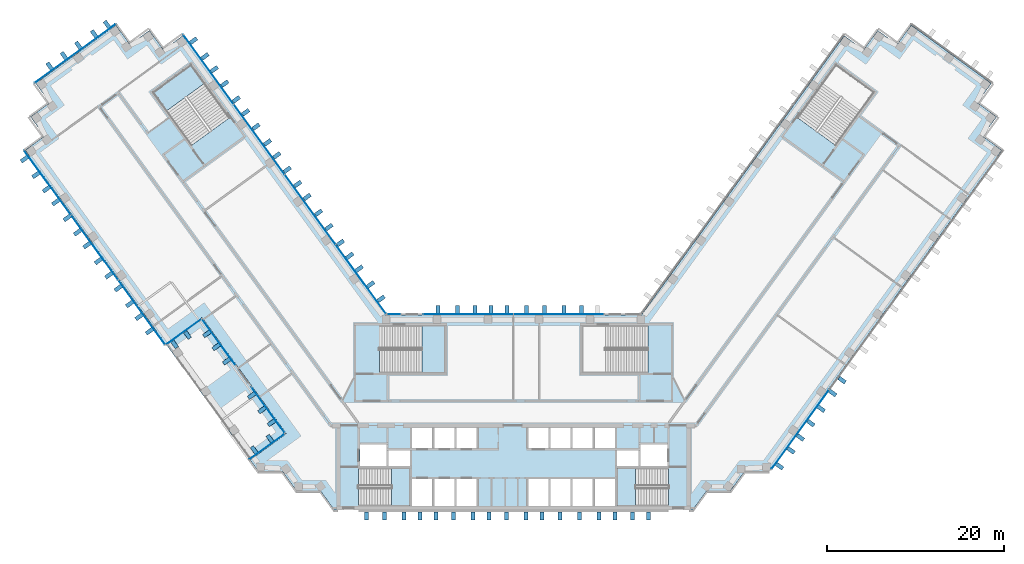
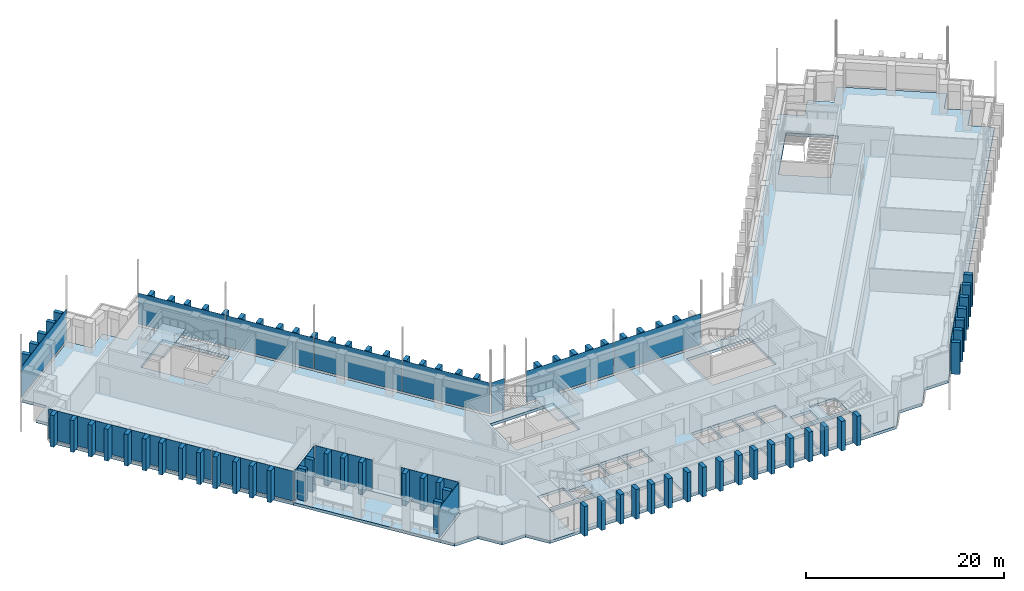
# One storey, part 8 of 18: 96 plates, 6 slabs, 14 elements without a shape of their own.
"""IFC4 building model written with IfcOpenShell, lengths in metres."""

from ifc_helpers import new_model, si_unit, direction, frame, origin, origin_2d, place, context, subcontext, project, spatial, polyline, rectangle, outline, extrude, material, layer, layer_set, type_object, element, aggregate, save


model = new_model("IFC4")

# Units and contexts
model_context = context("Model", 3, precision=1e-05, world=origin(), true_north=direction((0.0, 1.0)))
body_context = subcontext(model_context, "Body", "Model", "MODEL_VIEW")
ifc_project = project(units=[si_unit("LENGTHUNIT", "METRE"), si_unit("AREAUNIT", "SQUARE_METRE"), si_unit("VOLUMEUNIT", "CUBIC_METRE"), si_unit("PLANEANGLEUNIT", "RADIAN"), si_unit("MASSUNIT", "GRAM", prefix="KILO")], contexts=[model_context])

# Site, building, storey
site_placement = place(None, origin())
site = spatial("IfcSite", under=ifc_project, at=site_placement, CompositionType="ELEMENT")
building_placement = place(site_placement, origin())
building = spatial("IfcBuilding", under=site, at=building_placement, Name="Quipu Civic Tower", CompositionType="ELEMENT")
storey_placement = place(building_placement, frame((0.0, 0.0, 59.0)))
storey = spatial("IfcBuildingStorey", under=building, at=storey_placement, Name="L13", CompositionType="ELEMENT", Elevation=59.0)

# Slab
ifc_material_1 = material(Name="Concrete C40/50", Category="concrete")
ifc_layer_1 = layer(ifc_material_1, 0.35009765625)
ifc_layer_set_1 = layer_set([ifc_layer_1], Name="Concrete C40/50")
slab_type_1 = type_object("IfcSlabType", Name="Floor slab 350 C40/50", PredefinedType="FLOOR", material=ifc_layer_set_1)
slab_1_placement = place(storey_placement, frame((0.0, 0.0, -0.35009765625)))
element("IfcSlab", 1, at=slab_1_placement, inside=storey, type_object=slab_type_1, Name="Floor slab L13", PredefinedType="FLOOR", context=body_context, shape_type="SweptSolid", body=[
    extrude(outline(polyline([(-54.514892578125, 33.389892578125), (-52.3349609375, 34.97509765625), (-53.919921875, 37.159912109375), (-44.860107421875, 43.739990234375), (-43.27001953125, 41.56005859375), (-41.0849609375, 43.14501953125), (-39.5, 40.9599609375), (-37.31494140625, 42.550048828125), (-14.39501953125, 11.0), (14.39501953125, 11.0), (37.31494140625, 42.550048828125), (39.5, 40.9599609375), (41.0849609375, 43.14501953125), (43.27001953125, 41.56005859375), (44.860107421875, 43.739990234375), (53.919921875, 37.159912109375), (52.3349609375, 34.97509765625), (54.514892578125, 33.389892578125), (52.929931640625, 31.205078125), (55.114990234375, 29.614990234375), (28.780029296875, -6.6298828125), (26.080078125, -6.6298828125), (24.489990234375, -8.81494140625), (21.7900390625, -8.81494140625), (20.205078125, -11.0), (-20.205078125, -11.0), (-21.7900390625, -8.81494140625), (-24.489990234375, -8.81494140625), (-26.080078125, -6.6298828125), (-28.780029296875, -6.6298828125), (-29.719970703125, -5.3349609375), (-25.6298828125, -2.360107421875), (-35.155029296875, 10.7451171875), (-39.2451171875, 7.77490234375), (-55.114990234375, 29.614990234375), (-52.929931640625, 31.205078125), (-54.514892578125, 33.389892578125)]), holes=[polyline([(-11.449951171875, -7.5), (-11.449951171875, -10.5), (-9.14990234375, -10.5), (-9.14990234375, -7.5), (-11.449951171875, -7.5)]), polyline([(-6.64990234375, -7.5), (-8.949951171875, -7.5), (-8.949951171875, -10.5), (-6.64990234375, -10.5), (-6.64990234375, -7.5)]), polyline([(-4.14990234375, -7.5), (-6.449951171875, -7.5), (-6.449951171875, -10.5), (-4.14990234375, -10.5), (-4.14990234375, -7.5)]), polyline([(1.64990234375, -7.5), (1.64990234375, -10.5), (3.949951171875, -10.5), (3.949951171875, -7.5), (1.64990234375, -7.5)]), polyline([(-11.705078125, -10.4951171875), (-11.705078125, -6.2548828125), (-17.4951171875, -6.2548828125), (-17.4951171875, -10.4951171875), (-11.705078125, -10.4951171875)]), polyline([(-11.699951171875, -4.25), (-14.10009765625, -4.25), (-14.10009765625, -6.0), (-11.699951171875, -6.0), (-11.699951171875, -4.25)]), polyline([(-17.35009765625, -3.60009765625), (-17.35009765625, -6.0), (-14.35009765625, -6.0), (-14.35009765625, -3.60009765625), (-17.35009765625, -3.60009765625)]), polyline([(-9.14990234375, -1.699951171875), (-11.449951171875, -1.699951171875), (-11.449951171875, -4.0), (-9.14990234375, -4.0), (-9.14990234375, -1.699951171875)]), polyline([(-6.64990234375, -1.699951171875), (-8.949951171875, -1.699951171875), (-8.949951171875, -4.0), (-6.64990234375, -4.0), (-6.64990234375, -1.699951171875)]), polyline([(-6.449951171875, -1.699951171875), (-6.449951171875, -4.0), (-4.14990234375, -4.0), (-4.14990234375, -1.699951171875), (-6.449951171875, -1.699951171875)]), polyline([(-7.7548828125, 4.5048828125), (-7.7548828125, 9.844970703125), (-15.14501953125, 9.844970703125), (-15.14501953125, 4.5048828125), (-7.7548828125, 4.5048828125)]), polyline([(-36.364990234375, 39.27490234375), (-40.68505859375, 36.135009765625), (-36.344970703125, 30.159912109375), (-32.02490234375, 33.300048828125), (-36.364990234375, 39.27490234375)]), polyline([(4.14990234375, -7.5), (4.14990234375, -10.5), (6.449951171875, -10.5), (6.449951171875, -7.5), (4.14990234375, -7.5)]), polyline([(8.949951171875, -7.5), (6.64990234375, -7.5), (6.64990234375, -10.5), (8.949951171875, -10.5), (8.949951171875, -7.5)]), polyline([(11.449951171875, -7.5), (9.14990234375, -7.5), (9.14990234375, -10.5), (11.449951171875, -10.5), (11.449951171875, -7.5)]), polyline([(11.705078125, -10.4951171875), (17.4951171875, -10.4951171875), (17.4951171875, -6.2548828125), (11.705078125, -6.2548828125), (11.705078125, -10.4951171875)]), polyline([(14.10009765625, -4.25), (11.699951171875, -4.25), (11.699951171875, -6.0), (14.10009765625, -6.0), (14.10009765625, -4.25)]), polyline([(17.35009765625, -3.60009765625), (14.35009765625, -3.60009765625), (14.35009765625, -6.0), (17.35009765625, -6.0), (17.35009765625, -3.60009765625)]), polyline([(1.64990234375, -1.699951171875), (1.64990234375, -4.0), (3.949951171875, -4.0), (3.949951171875, -1.699951171875), (1.64990234375, -1.699951171875)]), polyline([(6.449951171875, -1.699951171875), (4.14990234375, -1.699951171875), (4.14990234375, -4.0), (6.449951171875, -4.0), (6.449951171875, -1.699951171875)]), polyline([(8.949951171875, -1.699951171875), (6.64990234375, -1.699951171875), (6.64990234375, -4.0), (8.949951171875, -4.0), (8.949951171875, -1.699951171875)]), polyline([(9.14990234375, -1.699951171875), (9.14990234375, -4.0), (11.449951171875, -4.0), (11.449951171875, -1.699951171875), (9.14990234375, -1.699951171875)]), polyline([(7.7548828125, 9.844970703125), (7.7548828125, 4.5048828125), (15.14501953125, 4.5048828125), (15.14501953125, 9.844970703125), (7.7548828125, 9.844970703125)]), polyline([(40.68505859375, 36.135009765625), (36.364990234375, 39.27490234375), (32.02490234375, 33.300048828125), (36.344970703125, 30.159912109375), (40.68505859375, 36.135009765625)])]), origin(), (0.0, 0.0, 1.0), 0.35009765625),
])

# Curtain wall, plates
ifc_material_2 = material(Name="Insulated glass unit", Category="glass")
curtain_wall_type = type_object("IfcCurtainWallType", Name="Office curtain wall CW1", PredefinedType="NOTDEFINED", material=ifc_material_2)
curtain_wall_1_placement = place(storey_placement, origin())
curtain_wall_1 = element("IfcCurtainWall", 2, at=curtain_wall_1_placement, inside=storey, type_object=curtain_wall_type, Name="Office curtain wall CW1 L13 run 1", PredefinedType="NOTDEFINED")
ifc_material_3 = material(Name="Insulated glass unit", Category="glass")
ifc_layer_2 = layer(ifc_material_3, 0.028076171875)
ifc_layer_set_2 = layer_set([ifc_layer_2], Name="Insulated glass unit")
plate_type_1 = type_object("IfcPlateType", Name="Glass panel CW1", PredefinedType="CURTAIN_PANEL", material=ifc_layer_set_2)
plate_1_placement = place(storey_placement, frame((-52.57763671875, 25.954833984375, 0.240234375), z_axis=(0.0, 0.0, 1.0), x_axis=(0.587787330417, -0.809015484525, 0.0)))
plate_1 = element("IfcPlate", 3, at=plate_1_placement, type_object=plate_type_1, Name="CW1 panel 1.1", PredefinedType="CURTAIN_PANEL", context=body_context, shape_type="SweptSolid", body=[
    extrude(rectangle(XDim=8.94677734375, YDim=0.028076171875, at=origin_2d()), origin(), (0.0, 0.0, 1.0), 3.679931640625),
])
plate_2_placement = place(storey_placement, frame((-47.26025390625, 18.635986328125, 0.240234375), z_axis=(0.0, 0.0, 1.0), x_axis=(0.587787330417, -0.809015484525, 0.0)))
plate_2 = element("IfcPlate", 4, at=plate_2_placement, type_object=plate_type_1, Name="CW1 panel 2.1", PredefinedType="CURTAIN_PANEL", context=body_context, shape_type="SweptSolid", body=[
    extrude(rectangle(XDim=8.986572265625, YDim=0.028076171875, at=origin_2d()), origin(), (0.0, 0.0, 1.0), 3.679931640625),
])
plate_3_placement = place(storey_placement, frame((-41.942626953125, 11.317138671875, 0.240234375), z_axis=(0.0, 0.0, 1.0), x_axis=(0.587787330417, -0.809015484525, 0.0)))
plate_3 = element("IfcPlate", 5, at=plate_3_placement, type_object=plate_type_1, Name="CW1 panel 3.1", PredefinedType="CURTAIN_PANEL", context=body_context, shape_type="SweptSolid", body=[
    extrude(rectangle(XDim=8.94677734375, YDim=0.028076171875, at=origin_2d()), origin(), (0.0, 0.0, 1.0), 3.679931640625),
])
aggregate(curtain_wall_1, [plate_1, plate_2, plate_3])

# Curtain wall, plate
curtain_wall_2_placement = place(storey_placement, origin())
curtain_wall_2 = element("IfcCurtainWall", 6, at=curtain_wall_2_placement, inside=storey, type_object=curtain_wall_type, Name="Office curtain wall CW1 L13 run 2", PredefinedType="NOTDEFINED")
plate_4_placement = place(storey_placement, frame((-37.220703125, 9.11962890625, 0.240234375), z_axis=(0.0, 0.0, 1.0), x_axis=(0.809017318296, 0.587784806453, 0.0)))
plate_4 = element("IfcPlate", 7, at=plate_4_placement, type_object=plate_type_1, Name="CW1 panel 1.1", PredefinedType="CURTAIN_PANEL", context=body_context, shape_type="SweptSolid", body=[
    extrude(rectangle(XDim=4.897216796875, YDim=0.028076171875, at=origin_2d()), origin(), (0.0, 0.0, 1.0), 3.679931640625),
])
aggregate(curtain_wall_2, [plate_4])

curtain_wall_3_placement = place(storey_placement, origin())
curtain_wall_3 = element("IfcCurtainWall", 8, at=curtain_wall_3_placement, inside=storey, type_object=curtain_wall_type, Name="Office curtain wall CW1 L13 run 3", PredefinedType="NOTDEFINED")
plate_5_placement = place(storey_placement, frame((-33.259521484375, 7.96923828125, 0.240234375), z_axis=(0.0, 0.0, 1.0), x_axis=(0.587784844747, -0.809017290474, 0.0)))
plate_5 = element("IfcPlate", 9, at=plate_5_placement, type_object=plate_type_1, Name="CW1 panel 1.1", PredefinedType="CURTAIN_PANEL", context=body_context, shape_type="SweptSolid", body=[
    extrude(rectangle(XDim=6.35791015625, YDim=0.028076171875, at=origin_2d()), origin(), (0.0, 0.0, 1.0), 3.679931640625),
])
aggregate(curtain_wall_3, [plate_5])

curtain_wall_4_placement = place(storey_placement, origin())
curtain_wall_4 = element("IfcCurtainWall", 10, at=curtain_wall_4_placement, inside=storey, type_object=curtain_wall_type, Name="Office curtain wall CW1 L13 run 5", PredefinedType="NOTDEFINED")
plate_6_placement = place(storey_placement, frame((-27.686279296875, 0.298583984375, 0.240234375), z_axis=(0.0, 0.0, 1.0), x_axis=(0.587776688826, -0.809023216028, 0.0)))
plate_6 = element("IfcPlate", 11, at=plate_6_placement, type_object=plate_type_1, Name="CW1 panel 1.1", PredefinedType="CURTAIN_PANEL", context=body_context, shape_type="SweptSolid", body=[
    extrude(rectangle(XDim=6.35888671875, YDim=0.028076171875, at=origin_2d()), origin(), (0.0, 0.0, 1.0), 3.679931640625),
])
aggregate(curtain_wall_4, [plate_6])

curtain_wall_5_placement = place(storey_placement, origin())
curtain_wall_5 = element("IfcCurtainWall", 12, at=curtain_wall_5_placement, inside=storey, type_object=curtain_wall_type, Name="Office curtain wall CW1 L13 run 6", PredefinedType="NOTDEFINED")
plate_7_placement = place(storey_placement, frame((-27.816162109375, -3.82470703125, 0.240234375), z_axis=(0.0, 0.0, 1.0), x_axis=(-0.809017318296, -0.587784806453, 0.0)))
plate_7 = element("IfcPlate", 13, at=plate_7_placement, type_object=plate_type_1, Name="CW1 panel 1.1", PredefinedType="CURTAIN_PANEL", context=body_context, shape_type="SweptSolid", body=[
    extrude(rectangle(XDim=4.897216796875, YDim=0.028076171875, at=origin_2d()), origin(), (0.0, 0.0, 1.0), 3.679931640625),
])
aggregate(curtain_wall_5, [plate_7])

# Curtain wall, plates
curtain_wall_6_placement = place(storey_placement, origin())
curtain_wall_6 = element("IfcCurtainWall", 14, at=curtain_wall_6_placement, inside=storey, type_object=curtain_wall_type, Name="Office curtain wall CW1 L12 run 10", PredefinedType="NOTDEFINED")
plate_8_placement = place(storey_placement, frame((-17.224609375, 15.064697265625, 0.16015625), z_axis=(0.0, 0.0, 1.0), x_axis=(-0.587785887566, 0.809016532822, 0.0)))
plate_8 = element("IfcPlate", 15, at=plate_8_placement, type_object=plate_type_1, Name="CW1 panel 1.2", PredefinedType="CURTAIN_PANEL", context=body_context, shape_type="SweptSolid", body=[
    extrude(rectangle(XDim=9.64111328125, YDim=0.028076171875, at=origin_2d()), origin(), (0.0, 0.0, 1.0), 3.840087890625),
])
plate_9_placement = place(storey_placement, frame((-22.950439453125, 22.9453125, 0.16015625), z_axis=(0.0, 0.0, 1.0), x_axis=(-0.587785887566, 0.809016532822, 0.0)))
plate_9 = element("IfcPlate", 16, at=plate_9_placement, type_object=plate_type_1, Name="CW1 panel 2.2", PredefinedType="CURTAIN_PANEL", context=body_context, shape_type="SweptSolid", body=[
    extrude(rectangle(XDim=9.68115234375, YDim=0.028076171875, at=origin_2d()), origin(), (0.0, 0.0, 1.0), 3.840087890625),
])
plate_10_placement = place(storey_placement, frame((-28.687744140625, 30.84228515625, 0.16015625), z_axis=(0.0, 0.0, 1.0), x_axis=(-0.587785887566, 0.809016532822, 0.0)))
plate_10 = element("IfcPlate", 17, at=plate_10_placement, type_object=plate_type_1, Name="CW1 panel 3.2", PredefinedType="CURTAIN_PANEL", context=body_context, shape_type="SweptSolid", body=[
    extrude(rectangle(XDim=9.68115234375, YDim=0.028076171875, at=origin_2d()), origin(), (0.0, 0.0, 1.0), 3.840087890625),
])
plate_11_placement = place(storey_placement, frame((-34.413330078125, 38.722900390625, 0.16015625), z_axis=(0.0, 0.0, 1.0), x_axis=(-0.587785887566, 0.809016532822, 0.0)))
plate_11 = element("IfcPlate", 18, at=plate_11_placement, type_object=plate_type_1, Name="CW1 panel 4.2", PredefinedType="CURTAIN_PANEL", context=body_context, shape_type="SweptSolid", body=[
    extrude(rectangle(XDim=9.64111328125, YDim=0.028076171875, at=origin_2d()), origin(), (0.0, 0.0, 1.0), 3.840087890625),
])
aggregate(curtain_wall_6, [plate_8, plate_9, plate_10, plate_11])

# Curtain wall, plate
curtain_wall_7_placement = place(storey_placement, origin())
curtain_wall_7 = element("IfcCurtainWall", 19, at=curtain_wall_7_placement, inside=storey, type_object=curtain_wall_type, Name="Office curtain wall CW1 L12 run 15", PredefinedType="NOTDEFINED")
plate_12_placement = place(storey_placement, frame((-49.447998046875, 40.53173828125, 0.16015625), z_axis=(0.0, 0.0, 1.0), x_axis=(-0.809019348124, -0.587782012621, 0.0)))
plate_12 = element("IfcPlate", 20, at=plate_12_placement, type_object=plate_type_1, Name="CW1 panel 1.2", PredefinedType="CURTAIN_PANEL", context=body_context, shape_type="SweptSolid", body=[
    extrude(rectangle(XDim=11.239990234375, YDim=0.028076171875, at=origin_2d()), origin(), (0.0, 0.0, 1.0), 3.840087890625),
])
aggregate(curtain_wall_7, [plate_12])

curtain_wall_8_placement = place(storey_placement, origin())
curtain_wall_8 = element("IfcCurtainWall", 21, at=curtain_wall_8_placement, inside=storey, type_object=curtain_wall_type, Name="Office curtain wall CW1 L12 run 26", PredefinedType="NOTDEFINED")
plate_13_placement = place(storey_placement, frame((32.342529296875, -1.896484375, 0.16015625), z_axis=(0.0, 0.0, 1.0), x_axis=(0.587785559869, 0.809016770908, 0.0)))
plate_13 = element("IfcPlate", 22, at=plate_13_placement, type_object=plate_type_1, Name="CW1 panel 1.2", PredefinedType="CURTAIN_PANEL", context=body_context, shape_type="SweptSolid", body=[
    extrude(rectangle(XDim=11.022705078125, YDim=0.028076171875, at=origin_2d()), origin(), (0.0, 0.0, 1.0), 3.840087890625),
])
aggregate(curtain_wall_8, [plate_13])

# Curtain wall, plates
curtain_wall_9_placement = place(storey_placement, origin())
curtain_wall_9 = element("IfcCurtainWall", 23, at=curtain_wall_9_placement, inside=storey, type_object=curtain_wall_type, Name="Office curtain wall CW1 L12 run 39", PredefinedType="NOTDEFINED")
plate_14_placement = place(storey_placement, frame((5.11181640625, 11.10009765625, 0.16015625), z_axis=(0.0, 0.0, 1.0), x_axis=(-1.0, 0.0, 0.0)))
plate_14 = element("IfcPlate", 24, at=plate_14_placement, type_object=plate_type_1, Name="CW1 panel 1.2", PredefinedType="CURTAIN_PANEL", context=body_context, shape_type="SweptSolid", body=[
    extrude(rectangle(XDim=10.1435546875, YDim=0.028076171875, at=origin_2d()), origin(), (0.0, 0.0, 1.0), 3.840087890625),
])
plate_15_placement = place(storey_placement, frame((-5.11181640625, 11.10009765625, 0.16015625), z_axis=(0.0, 0.0, 1.0), x_axis=(-1.0, 0.0, 0.0)))
plate_15 = element("IfcPlate", 25, at=plate_15_placement, type_object=plate_type_1, Name="CW1 panel 2.2", PredefinedType="CURTAIN_PANEL", context=body_context, shape_type="SweptSolid", body=[
    extrude(rectangle(XDim=10.1435546875, YDim=0.028076171875, at=origin_2d()), origin(), (0.0, 0.0, 1.0), 3.840087890625),
])
aggregate(curtain_wall_9, [plate_14, plate_15])

# Curtain wall, plate
curtain_wall_10_placement = place(storey_placement, origin())
curtain_wall_10 = element("IfcCurtainWall", 26, at=curtain_wall_10_placement, inside=storey, type_object=curtain_wall_type, Name="Office curtain wall CW1 L12 run 41", PredefinedType="NOTDEFINED")
plate_16_placement = place(storey_placement, frame((-13.49951171875, 11.10009765625, 0.16015625), z_axis=(0.0, 0.0, 1.0), x_axis=(-1.0, 0.0, 0.0)))
plate_16 = element("IfcPlate", 27, at=plate_16_placement, type_object=plate_type_1, Name="CW1 panel 1.2", PredefinedType="CURTAIN_PANEL", context=body_context, shape_type="SweptSolid", body=[
    extrude(rectangle(XDim=1.529296875, YDim=0.028076171875, at=origin_2d()), origin(), (0.0, 0.0, 1.0), 3.840087890625),
])
aggregate(curtain_wall_10, [plate_16])

# Plates
ifc_material_4 = material(Name="Precast concrete C40/50", Category="concrete")
plate_type_2 = type_object("IfcPlateType", Name="Precast fin F1", PredefinedType="SHEET", material=ifc_material_4)
for number, where, z_axis, x_axis, name in (
    (28, (-55.184814453125, 28.607421875, 0.080078125), (0.0, 0.0, 1.0), (0.587786244816, -0.809016273264, 0.0), "Precast fin F1 L13.1.1"),
    (29, (-53.8916015625, 26.82763671875, 0.080078125), (0.0, 0.0, 1.0), (0.587786244816, -0.809016273264, 0.0), "Precast fin F1 L13.1.2"),
    (30, (-52.716064453125, 25.20947265625, 0.080078125), (0.0, 0.0, 1.0), (0.587786244816, -0.809016273264, 0.0), "Precast fin F1 L13.1.3"),
    (31, (-51.657958984375, 23.75341796875, 0.080078125), (0.0, 0.0, 1.0), (0.587786244816, -0.809016273264, 0.0), "Precast fin F1 L13.1.4"),
    (32, (-50.364990234375, 21.9736328125, 0.080078125), (0.0, 0.0, 1.0), (0.587786244816, -0.809016273264, 0.0), "Precast fin F1 L13.1.5"),
    (33, (-49.189208984375, 20.35546875, 0.080078125), (0.0, 0.0, 1.0), (0.587786244816, -0.809016273264, 0.0), "Precast fin F1 L13.1.6"),
    (34, (-48.13134765625, 18.899169921875, 0.080078125), (0.0, 0.0, 1.0), (0.587786244816, -0.809016273264, 0.0), "Precast fin F1 L13.1.7"),
    (35, (-46.838134765625, 17.119384765625, 0.080078125), (0.0, 0.0, 1.0), (0.587786244816, -0.809016273264, 0.0), "Precast fin F1 L13.1.8"),
    (36, (-45.66259765625, 15.50146484375, 0.080078125), (0.0, 0.0, 1.0), (0.587786244816, -0.809016273264, 0.0), "Precast fin F1 L13.1.9"),
    (37, (-44.6044921875, 14.045166015625, 0.080078125), (0.0, 0.0, 1.0), (0.587786244816, -0.809016273264, 0.0), "Precast fin F1 L13.1.10"),
    (38, (-43.3115234375, 12.265380859375, 0.080078125), (0.0, 0.0, 1.0), (0.587786244816, -0.809016273264, 0.0), "Precast fin F1 L13.1.11"),
    (39, (-42.25341796875, 10.80908203125, 0.080078125), (0.0, 0.0, 1.0), (0.587786244816, -0.809016273264, 0.0), "Precast fin F1 L13.1.12"),
    (40, (-41.077880859375, 9.191162109375, 0.080078125), (0.0, 0.0, 1.0), (0.587786244816, -0.809016273264, 0.0), "Precast fin F1 L13.1.13"),
    (41, (-38.235107421875, 7.702880859375, 0.080078125), (0.0, 0.0, 1.0), (0.809017318296, 0.587784806453, 0.0), "Precast fin F1 L13.2.1"),
    (42, (-36.77880859375, 8.7607421875, 0.080078125), (0.0, 0.0, 1.0), (0.809017318296, 0.587784806453, 0.0), "Precast fin F1 L13.2.2"),
    (43, (-34.60595703125, 8.886962890625, 0.080078125), (0.0, 0.0, 1.0), (0.587783675566, -0.809018139931, 0.0), "Precast fin F1 L13.3.1"),
    (44, (-33.548095703125, 7.430908203125, 0.080078125), (0.0, 0.0, 1.0), (0.587783675566, -0.809018139931, 0.0), "Precast fin F1 L13.3.2"),
    (45, (-32.37255859375, 5.812744140625, 0.080078125), (0.0, 0.0, 1.0), (0.587783675566, -0.809018139931, 0.0), "Precast fin F1 L13.3.3"),
    (46, (-29.55126953125, 1.929931640625, 0.080078125), (0.0, 0.0, 1.0), (0.587783675566, -0.809018139931, 0.0), "Precast fin F1 L13.5.1"),
    (47, (-28.375732421875, 0.311767578125, 0.080078125), (0.0, 0.0, 1.0), (0.587783675566, -0.809018139931, 0.0), "Precast fin F1 L13.5.2"),
    (48, (-27.31787109375, -1.144287109375, 0.080078125), (0.0, 0.0, 1.0), (0.587783675566, -0.809018139931, 0.0), "Precast fin F1 L13.5.3"),
    (49, (-27.4892578125, -2.9072265625, 0.080078125), (0.0, 0.0, 1.0), (-0.809017318296, -0.587784806453, 0.0), "Precast fin F1 L13.6.1"),
    (50, (-29.26904296875, -4.200439453125, 0.080078125), (0.0, 0.0, 1.0), (-0.809017318296, -0.587784806453, 0.0), "Precast fin F1 L13.6.2"),
    (51, (-14.942138671875, 12.8583984375, 0.080078125), (0.0, 0.0, 1.0), (-0.587784944053, 0.809017218324, 0.0), "Precast fin F1 L13.P06.1"),
    (52, (-16.11767578125, 14.4765625, 0.080078125), (0.0, 0.0, 1.0), (-0.587784944053, 0.809017218324, 0.0), "Precast fin F1 L13.P06.2"),
    (53, (-17.41064453125, 16.25634765625, 0.080078125), (0.0, 0.0, 1.0), (-0.587784944053, 0.809017218324, 0.0), "Precast fin F1 L13.P06.3"),
    (54, (-18.46875, 17.712646484375, 0.080078125), (0.0, 0.0, 1.0), (-0.587784944053, 0.809017218324, 0.0), "Precast fin F1 L13.P06.4"),
    (55, (-19.52685546875, 19.1689453125, 0.080078125), (0.0, 0.0, 1.0), (-0.587784944053, 0.809017218324, 0.0), "Precast fin F1 L13.P06.5"),
    (56, (-20.81982421875, 20.94873046875, 0.080078125), (0.0, 0.0, 1.0), (-0.587784944053, 0.809017218324, 0.0), "Precast fin F1 L13.P06.6"),
    (57, (-21.995361328125, 22.566650390625, 0.080078125), (0.0, 0.0, 1.0), (-0.587784944053, 0.809017218324, 0.0), "Precast fin F1 L13.P06.7"),
    (58, (-23.28857421875, 24.3466796875, 0.080078125), (0.0, 0.0, 1.0), (-0.587784944053, 0.809017218324, 0.0), "Precast fin F1 L13.P06.8"),
    (59, (-24.3466796875, 25.802734375, 0.080078125), (0.0, 0.0, 1.0), (-0.587784944053, 0.809017218324, 0.0), "Precast fin F1 L13.P06.9"),
    (60, (-25.522216796875, 27.4208984375, 0.080078125), (0.0, 0.0, 1.0), (-0.587784944053, 0.809017218324, 0.0), "Precast fin F1 L13.P06.10"),
    (61, (-26.69775390625, 29.038818359375, 0.080078125), (0.0, 0.0, 1.0), (-0.587784944053, 0.809017218324, 0.0), "Precast fin F1 L13.P06.11"),
    (62, (-27.755859375, 30.4951171875, 0.080078125), (0.0, 0.0, 1.0), (-0.587784944053, 0.809017218324, 0.0), "Precast fin F1 L13.P06.12"),
    (63, (-29.048828125, 32.27490234375, 0.080078125), (0.0, 0.0, 1.0), (-0.587784944053, 0.809017218324, 0.0), "Precast fin F1 L13.P06.13"),
    (64, (-30.224365234375, 33.89306640625, 0.080078125), (0.0, 0.0, 1.0), (-0.587784944053, 0.809017218324, 0.0), "Precast fin F1 L13.P06.14"),
    (65, (-31.282470703125, 35.34912109375, 0.080078125), (0.0, 0.0, 1.0), (-0.587784944053, 0.809017218324, 0.0), "Precast fin F1 L13.P06.15"),
    (66, (-32.57568359375, 37.129150390625, 0.080078125), (0.0, 0.0, 1.0), (-0.587784944053, 0.809017218324, 0.0), "Precast fin F1 L13.P06.16"),
    (67, (-33.751220703125, 38.7470703125, 0.080078125), (0.0, 0.0, 1.0), (-0.587784944053, 0.809017218324, 0.0), "Precast fin F1 L13.P06.17"),
    (68, (-34.80908203125, 40.203369140625, 0.080078125), (0.0, 0.0, 1.0), (-0.587784944053, 0.809017218324, 0.0), "Precast fin F1 L13.P06.18"),
    (69, (-36.102294921875, 41.983154296875, 0.080078125), (0.0, 0.0, 1.0), (-0.587784944053, 0.809017218324, 0.0), "Precast fin F1 L13.P06.19"),
    (70, (-45.867919921875, 43.812744140625, 0.080078125), (0.0, 0.0, 1.0), (-0.809021318545, -0.587779300537, 0.0), "Precast fin F1 L13.P11.1"),
    (71, (-47.323974609375, 42.754638671875, 0.080078125), (0.0, 0.0, 1.0), (-0.809021318545, -0.587779300537, 0.0), "Precast fin F1 L13.P11.2"),
    (72, (-49.10400390625, 41.461669921875, 0.080078125), (0.0, 0.0, 1.0), (-0.809021318545, -0.587779300537, 0.0), "Precast fin F1 L13.P11.3"),
    (73, (-50.721923828125, 40.2861328125, 0.080078125), (0.0, 0.0, 1.0), (-0.809021318545, -0.587779300537, 0.0), "Precast fin F1 L13.P11.4"),
    (74, (-52.340087890625, 39.110595703125, 0.080078125), (0.0, 0.0, 1.0), (-0.809021318545, -0.587779300537, 0.0), "Precast fin F1 L13.P11.5"),
):
    element("IfcPlate", number, at=place(storey_placement, frame(where, z_axis=z_axis, x_axis=x_axis)), inside=storey, type_object=plate_type_2, Name=name, PredefinedType="SHEET", context=body_context, shape_type="SweptSolid", body=[
        extrude(rectangle(XDim=0.449951171875, YDim=0.89990234375, at=origin_2d()), origin(), (0.0, 0.0, 1.0), 3.919921875),
    ])
for number, where, z_axis, x_axis, name in (
    (75, (-16.574951171875, -11.637939453125, 0.0), (0.0, 0.0, 1.0), (1.0, 0.0, 0.0), "Precast fin F1 L13.P17.1"),
    (76, (-14.574951171875, -11.637939453125, 0.0), (0.0, 0.0, 1.0), (1.0, 0.0, 0.0), "Precast fin F1 L13.P17.2"),
    (77, (-12.375, -11.637939453125, 0.0), (0.0, 0.0, 1.0), (1.0, 0.0, 0.0), "Precast fin F1 L13.P17.3"),
    (78, (-10.574951171875, -11.637939453125, 0.0), (0.0, 0.0, 1.0), (1.0, 0.0, 0.0), "Precast fin F1 L13.P17.4"),
    (79, (-8.77490234375, -11.637939453125, 0.0), (0.0, 0.0, 1.0), (1.0, 0.0, 0.0), "Precast fin F1 L13.P17.5"),
    (80, (-6.77490234375, -11.637939453125, 0.0), (0.0, 0.0, 1.0), (1.0, 0.0, 0.0), "Precast fin F1 L13.P17.6"),
    (81, (-4.574951171875, -11.637939453125, 0.0), (0.0, 0.0, 1.0), (1.0, 0.0, 0.0), "Precast fin F1 L13.P17.7"),
    (82, (-2.77490234375, -11.637939453125, 0.0), (0.0, 0.0, 1.0), (1.0, 0.0, 0.0), "Precast fin F1 L13.P17.8"),
    (83, (-0.77490234375, -11.637939453125, 0.0), (0.0, 0.0, 1.0), (1.0, 0.0, 0.0), "Precast fin F1 L13.P17.9"),
    (84, (1.425048828125, -11.637939453125, 0.0), (0.0, 0.0, 1.0), (1.0, 0.0, 0.0), "Precast fin F1 L13.P17.10"),
    (85, (3.22509765625, -11.637939453125, 0.0), (0.0, 0.0, 1.0), (1.0, 0.0, 0.0), "Precast fin F1 L13.P17.11"),
    (86, (5.22509765625, -11.637939453125, 0.0), (0.0, 0.0, 1.0), (1.0, 0.0, 0.0), "Precast fin F1 L13.P17.12"),
    (87, (7.425048828125, -11.637939453125, 0.0), (0.0, 0.0, 1.0), (1.0, 0.0, 0.0), "Precast fin F1 L13.P17.13"),
    (88, (9.625, -11.637939453125, 0.0), (0.0, 0.0, 1.0), (1.0, 0.0, 0.0), "Precast fin F1 L13.P17.14"),
    (89, (11.425048828125, -11.637939453125, 0.0), (0.0, 0.0, 1.0), (1.0, 0.0, 0.0), "Precast fin F1 L13.P17.15"),
    (90, (13.425048828125, -11.637939453125, 0.0), (0.0, 0.0, 1.0), (1.0, 0.0, 0.0), "Precast fin F1 L13.P17.16"),
    (91, (15.22509765625, -11.637939453125, 0.0), (0.0, 0.0, 1.0), (1.0, 0.0, 0.0), "Precast fin F1 L13.P17.17"),
):
    element("IfcPlate", number, at=place(storey_placement, frame(where, z_axis=z_axis, x_axis=x_axis)), inside=storey, type_object=plate_type_2, Name=name, PredefinedType="SHEET", context=body_context, shape_type="SweptSolid", body=[
        extrude(rectangle(XDim=0.449951171875, YDim=0.89990234375, at=origin_2d()), origin(), (0.0, 0.0, 1.0), 3.64990234375),
    ])
for number, where, z_axis, x_axis, name in (
    (92, (30.014892578125, -6.03564453125, 0.080078125), (0.0, 0.0, 1.0), (0.587785716149, 0.809016657363, 0.0), "Precast fin F1 L13.P23.1"),
    (93, (31.30810546875, -4.255859375, 0.080078125), (0.0, 0.0, 1.0), (0.587785716149, 0.809016657363, 0.0), "Precast fin F1 L13.P23.2"),
    (94, (32.365966796875, -2.7998046875, 0.080078125), (0.0, 0.0, 1.0), (0.587785716149, 0.809016657363, 0.0), "Precast fin F1 L13.P23.3"),
    (95, (33.541748046875, -1.181640625, 0.080078125), (0.0, 0.0, 1.0), (0.587785716149, 0.809016657363, 0.0), "Precast fin F1 L13.P23.4"),
    (96, (34.71728515625, 0.436279296875, 0.080078125), (0.0, 0.0, 1.0), (0.587785716149, 0.809016657363, 0.0), "Precast fin F1 L13.P23.5"),
    (97, (36.01025390625, 2.21630859375, 0.080078125), (0.0, 0.0, 1.0), (0.587785716149, 0.809016657363, 0.0), "Precast fin F1 L13.P23.6"),
    (98, (37.068359375, 3.67236328125, 0.080078125), (0.0, 0.0, 1.0), (0.587785716149, 0.809016657363, 0.0), "Precast fin F1 L13.P23.7"),
    (99, (7.675048828125, 11.64990234375, 0.080078125), (0.0, 0.0, 1.0), (-1.0, 0.0, 0.0), "Precast fin F1 L13.P36.2"),
    (100, (5.675048828125, 11.64990234375, 0.080078125), (0.0, 0.0, 1.0), (-1.0, 0.0, 0.0), "Precast fin F1 L13.P36.3"),
    (101, (3.47509765625, 11.64990234375, 0.080078125), (0.0, 0.0, 1.0), (-1.0, 0.0, 0.0), "Precast fin F1 L13.P36.4"),
    (102, (1.47509765625, 11.64990234375, 0.080078125), (0.0, 0.0, 1.0), (-1.0, 0.0, 0.0), "Precast fin F1 L13.P36.5"),
    (103, (-0.72509765625, 11.64990234375, 0.080078125), (0.0, 0.0, 1.0), (-1.0, 0.0, 0.0), "Precast fin F1 L13.P36.6"),
    (104, (-2.52490234375, 11.64990234375, 0.080078125), (0.0, 0.0, 1.0), (-1.0, 0.0, 0.0), "Precast fin F1 L13.P36.7"),
    (105, (-4.324951171875, 11.64990234375, 0.080078125), (0.0, 0.0, 1.0), (-1.0, 0.0, 0.0), "Precast fin F1 L13.P36.8"),
    (106, (-6.324951171875, 11.64990234375, 0.080078125), (0.0, 0.0, 1.0), (-1.0, 0.0, 0.0), "Precast fin F1 L13.P36.9"),
    (107, (-8.52490234375, 11.64990234375, 0.080078125), (0.0, 0.0, 1.0), (-1.0, 0.0, 0.0), "Precast fin F1 L13.P36.10"),
):
    element("IfcPlate", number, at=place(storey_placement, frame(where, z_axis=z_axis, x_axis=x_axis)), inside=storey, type_object=plate_type_2, Name=name, PredefinedType="SHEET", context=body_context, shape_type="SweptSolid", body=[
        extrude(rectangle(XDim=0.449951171875, YDim=0.89990234375, at=origin_2d()), origin(), (0.0, 0.0, 1.0), 3.919921875),
    ])

# Stair, slab
ifc_material_5 = material(Name="Concrete C40/50", Category="concrete")
stair_type_1 = type_object("IfcStairType", Name="Half turn stair 2000", PredefinedType="HALF_TURN_STAIR", material=ifc_material_5)
stair_1_placement = place(storey_placement, origin())
stair_1 = element("IfcStair", 108, at=stair_1_placement, inside=storey, type_object=stair_type_1, Name="Exit stair 1", PredefinedType="HALF_TURN_STAIR")
ifc_material_6 = material(Name="Concrete C40/50", Category="concrete")
ifc_layer_3 = layer(ifc_material_6, 0.199951171875)
ifc_layer_set_3 = layer_set([ifc_layer_3], Name="Concrete C40/50")
slab_type_2 = type_object("IfcSlabType", Name="Stair landing 200", PredefinedType="LANDING", material=ifc_layer_set_3)
slab_2_placement = place(storey_placement, frame((0.0, 0.0, 1.800048828125)))
slab_2 = element("IfcSlab", 109, at=slab_2_placement, type_object=slab_type_2, Name="ST-1 landing 1", PredefinedType="LANDING", context=body_context, shape_type="SweptSolid", body=[
    extrude(outline(polyline([(-13.780029296875, -10.5), (-11.699951171875, -10.5), (-11.699951171875, -6.25), (-13.780029296875, -6.25), (-13.780029296875, -10.5)])), origin(), (0.0, 0.0, 1.0), 0.199951171875),
])
aggregate(stair_1, [slab_2])

stair_2_placement = place(storey_placement, origin())
stair_2 = element("IfcStair", 110, at=stair_2_placement, inside=storey, type_object=stair_type_1, Name="Exit stair 2", PredefinedType="HALF_TURN_STAIR")
slab_3_placement = place(storey_placement, frame((0.0, 0.0, 1.800048828125)))
slab_3 = element("IfcSlab", 111, at=slab_3_placement, type_object=slab_type_2, Name="ST-2 landing 1", PredefinedType="LANDING", context=body_context, shape_type="SweptSolid", body=[
    extrude(outline(polyline([(13.780029296875, -6.25), (11.699951171875, -6.25), (11.699951171875, -10.5), (13.780029296875, -10.5), (13.780029296875, -6.25)])), origin(), (0.0, 0.0, 1.0), 0.199951171875),
])
aggregate(stair_2, [slab_3])

ifc_material_7 = material(Name="Concrete C40/50", Category="concrete")
stair_type_2 = type_object("IfcStairType", Name="Half turn stair 2600", PredefinedType="HALF_TURN_STAIR", material=ifc_material_7)
stair_3_placement = place(storey_placement, origin())
stair_3 = element("IfcStair", 112, at=stair_3_placement, inside=storey, type_object=stair_type_2, Name="Exit stair 3", PredefinedType="HALF_TURN_STAIR")
slab_4_placement = place(storey_placement, frame((0.0, 0.0, 1.800048828125)))
slab_4 = element("IfcSlab", 113, at=slab_4_placement, type_object=slab_type_2, Name="ST-3 landing 1", PredefinedType="LANDING", context=body_context, shape_type="SweptSolid", body=[
    extrude(outline(polyline([(-10.35009765625, 4.5), (-7.75, 4.5), (-7.75, 9.85009765625), (-10.35009765625, 9.85009765625), (-10.35009765625, 4.5)])), origin(), (0.0, 0.0, 1.0), 0.199951171875),
])
aggregate(stair_3, [slab_4])

stair_4_placement = place(storey_placement, origin())
stair_4 = element("IfcStair", 114, at=stair_4_placement, inside=storey, type_object=stair_type_2, Name="Exit stair 6", PredefinedType="HALF_TURN_STAIR")
slab_5_placement = place(storey_placement, frame((0.0, 0.0, 1.800048828125)))
slab_5 = element("IfcSlab", 115, at=slab_5_placement, type_object=slab_type_2, Name="ST-6 landing 1", PredefinedType="LANDING", context=body_context, shape_type="SweptSolid", body=[
    extrude(outline(polyline([(-34.837158203125, 37.179443359375), (-36.365478515625, 39.282958984375), (-40.69384765625, 36.138427734375), (-39.16552734375, 34.034912109375), (-34.837158203125, 37.179443359375)])), origin(), (0.0, 0.0, 1.0), 0.199951171875),
])
aggregate(stair_4, [slab_5])

# Slab
ifc_material_8 = material(Name="Concrete C40/50", Category="concrete")
ifc_layer_4 = layer(ifc_material_8, 0.35009765625)
ifc_layer_set_4 = layer_set([ifc_layer_4], Name="Concrete C40/50")
slab_type_3 = type_object("IfcSlabType", Name="Terrace slab 350 C40/50", PredefinedType="FLOOR", material=ifc_layer_set_4)
slab_6_placement = place(storey_placement, frame((0.0, 0.0, -0.35009765625)))
element("IfcSlab", 116, at=slab_6_placement, inside=storey, type_object=slab_type_3, Name="Terrace slab L13", PredefinedType="FLOOR", context=body_context, shape_type="SweptSolid", body=[
    extrude(outline(polyline([(-35.155029296875, 10.7451171875), (-25.6298828125, -2.360107421875), (-29.719970703125, -5.3349609375), (-39.2451171875, 7.77490234375), (-35.155029296875, 10.7451171875)])), origin(), (0.0, 0.0, 1.0), 0.35009765625),
])

save(model, "model.ifc")
